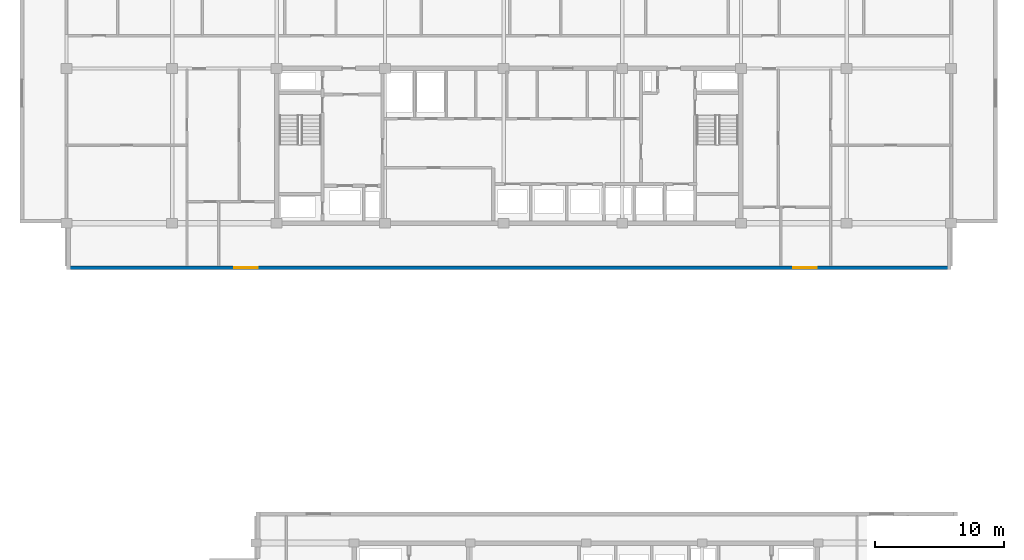
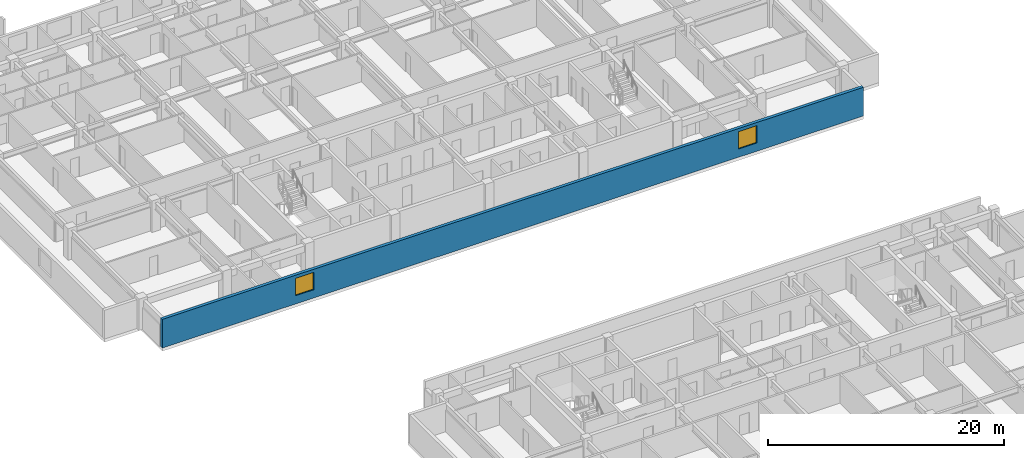
# One storey, part 9 of 23: 2 windows, 1 wall, 2 openings.
"""IFC4 building model written with IfcOpenShell, lengths in metres."""

from ifc_helpers import new_model, si_unit, direction, frame, frame_2d, origin, place, context, subcontext, project, spatial, rectangle, extrude, material, layer, layer_set, type_object, element, fill, save


model = new_model("IFC4")

# Units and contexts
model_context = context("Model", 3, precision=1e-05, world=origin(), true_north=direction((0.0, 1.0)))
body_context = subcontext(model_context, "Body", "Model", "MODEL_VIEW")
ifc_project = project(units=[si_unit("LENGTHUNIT", "METRE"), si_unit("AREAUNIT", "SQUARE_METRE"), si_unit("VOLUMEUNIT", "CUBIC_METRE"), si_unit("PLANEANGLEUNIT", "RADIAN"), si_unit("MASSUNIT", "GRAM", prefix="KILO")], contexts=[model_context])

# Site, building, storey
site_placement = place(None, origin())
site = spatial("IfcSite", under=ifc_project, at=site_placement, CompositionType="ELEMENT")
building_placement = place(site_placement, origin())
building = spatial("IfcBuilding", under=site, at=building_placement, Name="Korimba Cascade Residences", CompositionType="ELEMENT")
storey_placement = place(building_placement, frame((0.0, 0.0, 162.10009765625)))
storey = spatial("IfcBuildingStorey", under=building, at=storey_placement, Name="L46", CompositionType="ELEMENT", Elevation=162.10009765625)

# Wall, openings, windows
ifc_material_1 = material(Name="Precast concrete C40/50", Category="concrete")
ifc_layer = layer(ifc_material_1, 0.300048828125)
ifc_layer_set = layer_set([ifc_layer], Name="Precast concrete C40/50")
wall_type = type_object("IfcWallType", Name="EW-STONE-300", PredefinedType="STANDARD", material=ifc_layer_set)
wall_placement = place(storey_placement, frame((59.800048828125, 51.75, 0.0), z_axis=(0.0, 0.0, 1.0), x_axis=(1.0, 0.0, 0.0)))
wall = element("IfcWall", 1, at=wall_placement, inside=storey, type_object=wall_type, Name="L46 T1 Perimeter Stone Wall E00", PredefinedType="STANDARD", context=body_context, shape_type="SweptSolid", body=[
    extrude(rectangle(XDim=68.599853515625, YDim=0.300048828125, at=frame_2d((34.2998046875, 0.0))), origin(), (0.0, 0.0, 1.0), 2.969970703125),
])
opening_1_placement = place(wall_placement, frame((13.02490234375, 0.0, 0.85009765625)))
opening_1 = element("IfcOpeningElement", 2, at=opening_1_placement, cuts=wall, Name="Opening W-02", PredefinedType="OPENING", context=body_context, shape_type="SweptSolid", body=[
    extrude(rectangle(XDim=1.800048828125, YDim=1.800048828125, at=frame_2d((0.89990234375, 0.89990234375))), frame((0.0, 0.16015625, 0.0), z_axis=(0.0, -1.0, 0.0), x_axis=(1.0, 0.0, 0.0)), (0.0, 0.0, 1.0), 0.320068359375),
])
opening_2_placement = place(wall_placement, frame((56.375, 0.0, 0.85009765625)))
opening_2 = element("IfcOpeningElement", 3, at=opening_2_placement, cuts=wall, Name="Opening W-02", PredefinedType="OPENING", context=body_context, shape_type="SweptSolid", body=[
    extrude(rectangle(XDim=1.800048828125, YDim=1.800048828125, at=frame_2d((0.89990234375, 0.89990234375))), frame((0.0, 0.16015625, 0.0), z_axis=(0.0, -1.0, 0.0), x_axis=(1.0, 0.0, 0.0)), (0.0, 0.0, 1.0), 0.320068359375),
])
ifc_material_2 = material(Name="Double-Glazed Aluminium Window", Category="aluminium")
window_type = type_object("IfcWindowType", Name="WIN-BED-1800", PartitioningType="SINGLE_PANEL", PredefinedType="WINDOW", material=ifc_material_2)
window_1_placement = place(opening_1_placement, origin())
window_1 = element("IfcWindow", 4, at=window_1_placement, inside=storey, type_object=window_type, Name="L46 T1 South Corner Bedroom Window 1", OverallHeight=1.800048828125, OverallWidth=1.800048828125, PartitioningType="SINGLE_PANEL", PredefinedType="WINDOW", context=body_context, shape_type="SweptSolid", body=[
    extrude(rectangle(XDim=1.800048828125, YDim=1.800048828125, at=frame_2d((0.89990234375, 0.89990234375))), frame((0.0, 0.030029296875, 0.0), z_axis=(0.0, -1.0, 0.0), x_axis=(1.0, 0.0, 0.0)), (0.0, 0.0, 1.0), 0.06005859375),
])
fill(opening_1, window_1)
window_2_placement = place(opening_2_placement, origin())
window_2 = element("IfcWindow", 5, at=window_2_placement, inside=storey, type_object=window_type, Name="L46 T1 South Corner Bedroom Window 2", OverallHeight=1.800048828125, OverallWidth=1.800048828125, PartitioningType="SINGLE_PANEL", PredefinedType="WINDOW", context=body_context, shape_type="SweptSolid", body=[
    extrude(rectangle(XDim=1.800048828125, YDim=1.800048828125, at=frame_2d((0.89990234375, 0.89990234375))), frame((0.0, 0.030029296875, 0.0), z_axis=(0.0, -1.0, 0.0), x_axis=(1.0, 0.0, 0.0)), (0.0, 0.0, 1.0), 0.06005859375),
])
fill(opening_2, window_2)

save(model, "model.ifc")
